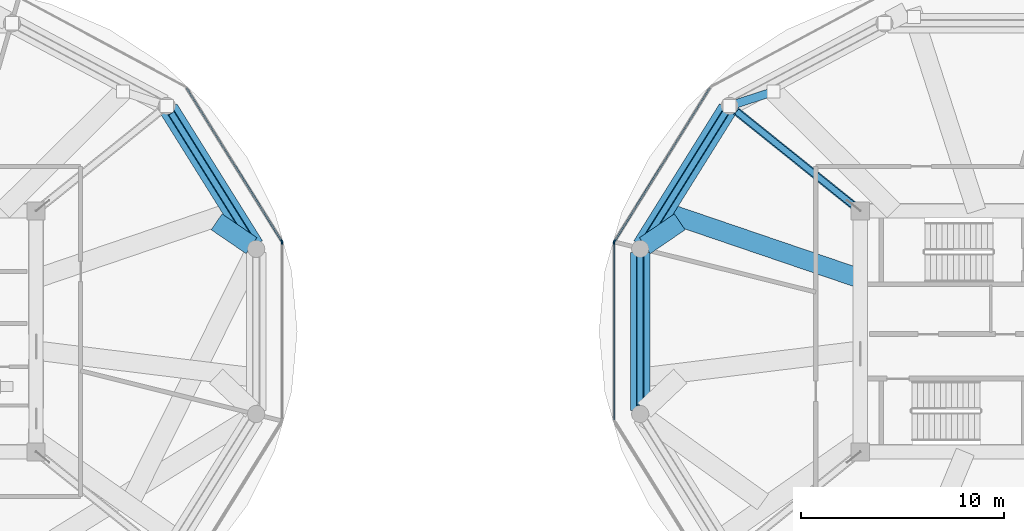
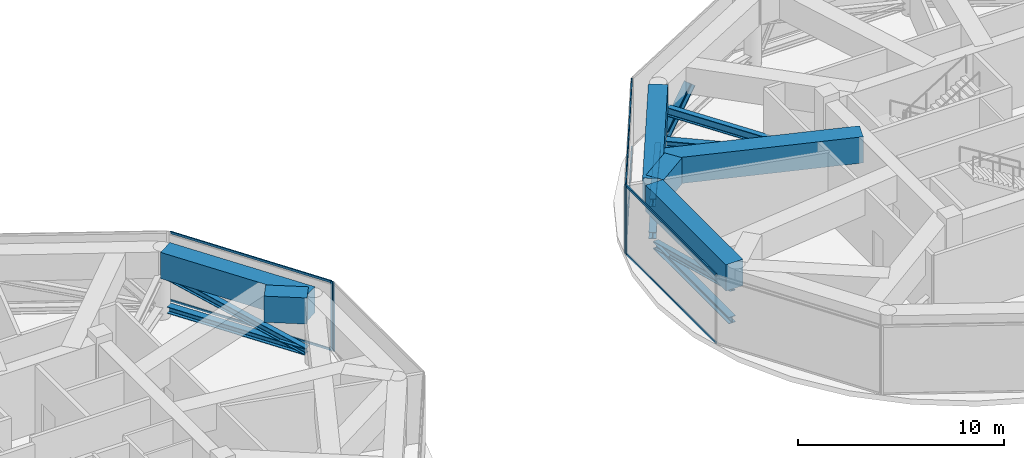
# One storey, part 7 of 23: 19 members, 6 beams, 4 elements without a shape of their own.
"""IFC4 building model written with IfcOpenShell, lengths in metres."""

from ifc_helpers import new_model, si_unit, direction, frame, origin, origin_2d, place, context, subcontext, project, spatial, rectangle, i_section, extrude, source, transform, mapped, material, layer, layer_set, material_profile, profile_set, type_object, type_shapes, element, aggregate, save


model = new_model("IFC4")

# Units and contexts
model_context = context("Model", 3, precision=1e-05, world=origin(), true_north=direction((0.0, 1.0)))
body_context = subcontext(model_context, "Body", "Model", "MODEL_VIEW")
ifc_project = project(units=[si_unit("LENGTHUNIT", "METRE"), si_unit("AREAUNIT", "SQUARE_METRE"), si_unit("VOLUMEUNIT", "CUBIC_METRE"), si_unit("PLANEANGLEUNIT", "RADIAN"), si_unit("MASSUNIT", "GRAM", prefix="KILO")], contexts=[model_context])

# Site, building, storey
site_placement = place(None, origin())
site = spatial("IfcSite", under=ifc_project, at=site_placement, CompositionType="ELEMENT")
building_placement = place(site_placement, origin())
building = spatial("IfcBuilding", under=site, at=building_placement, Name="Norrkilde Senior Care Towers", CompositionType="ELEMENT")
storey_placement = place(building_placement, frame((0.0, 0.0, 129.800048828125)))
storey = spatial("IfcBuildingStorey", under=building, at=storey_placement, Name="L40", CompositionType="ELEMENT", Elevation=129.800048828125)

# Beams
ifc_material_1 = material(Name="Concrete C60/75", Category="concrete")
ifc_material_profile_1 = material_profile(ifc_material_1, rectangle(XDim=0.949951171875, YDim=1.550048828125, at=origin_2d()), Name="RC TG 950x1550")
ifc_profile_set_1 = profile_set([ifc_material_profile_1], Name="Concrete C60/75")
beam_type = type_object("IfcBeamType", Name="Transfer Girder Zone Shift 950x1550", PredefinedType="USERDEFINED", material=ifc_profile_set_1)
shared_shape_1 = source(origin(), body_context, "Body", "SweptSolid", [
    extrude(rectangle(XDim=0.949951171875, YDim=1.550048828125, at=origin_2d()), origin(), (0.0, 0.0, 1.0), 7.966064453125),
])
for number, where, z_axis, x_axis, name in (
    (1, (-9.576416015625, 4.22900390625, 3.304931640625), (-0.529982411064, 0.848008634368, 0.0), (-0.848008634368, -0.529982411064, 0.0), "L40 Drum W Zone Ring Transfer Girder 01"),
    (2, (13.79833984375, 10.984375, 3.304931640625), (-0.529982411064, -0.848008634368, 0.0), (0.848008634368, -0.529982411064, 0.0), "L40 Drum E Zone Ring Transfer Girder 05"),
):
    element("IfcBeam", number, at=place(storey_placement, frame(where, z_axis=z_axis, x_axis=x_axis)), inside=storey, type_object=beam_type, Name=name, ObjectType="GIRDER", PredefinedType="USERDEFINED", context=body_context, shape_type="MappedRepresentation", body=[
        mapped(shared_shape_1, transform((0.0, 0.0, 0.0), x_axis=(1.0, 0.0, 0.0), y_axis=(0.0, 1.0, 0.0), z_axis=(0.0, 0.0, 1.0), scale=1.0)),
    ])
shared_shape_2 = source(origin(), body_context, "Body", "SweptSolid", [
    extrude(rectangle(XDim=0.949951171875, YDim=1.550048828125, at=origin_2d()), origin(), (0.0, 0.0, 1.0), 7.79296875),
])
beam_1_placement = place(storey_placement, frame((9.48095703125, 3.896484375, 3.304931640625), z_axis=(0.0, -1.0, 0.0), x_axis=(1.0, 0.0, 0.0)))
element("IfcBeam", 3, at=beam_1_placement, inside=storey, type_object=beam_type, Name="L40 Drum E Zone Ring Transfer Girder 06", ObjectType="GIRDER", PredefinedType="USERDEFINED", context=body_context, shape_type="MappedRepresentation", body=[
    mapped(shared_shape_2, transform((0.0, 0.0, 0.0), x_axis=(1.0, 0.0, 0.0), y_axis=(0.0, 1.0, 0.0), z_axis=(0.0, 0.0, 1.0), scale=1.0)),
])
shared_shape_3 = source(origin(), body_context, "Body", "SweptSolid", [
    extrude(rectangle(XDim=0.949951171875, YDim=1.550048828125, at=origin_2d()), origin(), (0.0, 0.0, 1.0), 10.266357421875),
])
beam_2_placement = place(storey_placement, frame((20.35009765625, 2.607177734375, 3.304931640625), z_axis=(-0.946540721316, 0.32258435004, 0.0), x_axis=(-0.32258435004, -0.946540721316, 0.0)))
element("IfcBeam", 4, at=beam_2_placement, inside=storey, type_object=beam_type, Name="L40 Drum E Zone Transfer Girder 06", ObjectType="GIRDER", PredefinedType="USERDEFINED", context=body_context, shape_type="MappedRepresentation", body=[
    mapped(shared_shape_3, transform((0.0, 0.0, 0.0), x_axis=(1.0, 0.0, 0.0), y_axis=(0.0, 1.0, 0.0), z_axis=(0.0, 0.0, 1.0), scale=1.0)),
])
shared_shape_4 = source(origin(), body_context, "Body", "SweptSolid", [
    extrude(rectangle(XDim=0.949951171875, YDim=1.550048828125, at=origin_2d()), origin(), (0.0, 0.0, 1.0), 2.08447265625),
])
type_shapes(beam_type, [shared_shape_1, shared_shape_2, shared_shape_3, shared_shape_4])
for number, where, z_axis, x_axis, name in (
    (5, (-11.433837890625, 5.4091796875, 3.304931640625), (0.825964589322, -0.563722003461, 0.0), (0.563722003461, 0.825964589322, 0.0), "L40 Drum W Zone Star Transfer Tie 01"),
    (6, (11.433837890625, 5.4091796875, 3.304931640625), (-0.825964589322, -0.563722003461, 0.0), (0.563722003461, -0.825964589322, 0.0), "L40 Drum E Zone Star Transfer Tie 06"),
):
    element("IfcBeam", number, at=place(storey_placement, frame(where, z_axis=z_axis, x_axis=x_axis)), inside=storey, type_object=beam_type, Name=name, ObjectType="GIRDER", PredefinedType="USERDEFINED", context=body_context, shape_type="MappedRepresentation", body=[
        mapped(shared_shape_4, transform((0.0, 0.0, 0.0), x_axis=(1.0, 0.0, 0.0), y_axis=(0.0, 1.0, 0.0), z_axis=(0.0, 0.0, 1.0), scale=1.0)),
    ])

# Members
ifc_material_2 = material(Name="Steel S355", Category="steel")
ifc_material_profile_2 = material_profile(ifc_material_2, i_section(OverallWidth=0.412109375, OverallDepth=0.449951171875, WebThickness=0.028076171875, FlangeThickness=0.044921875, FilletRadius=0.014892578125, at=origin_2d()), Name="HD 400x509")
ifc_profile_set_2 = profile_set([ifc_material_profile_2], Name="Steel S355")
member_type_1 = type_object("IfcMemberType", Name="Pratt Bridge Truss Diagonal HD400x509", PredefinedType="BRACE", material=ifc_profile_set_2)
shared_shape_5 = source(origin(), body_context, "Body", "SweptSolid", [
    extrude(i_section(OverallWidth=0.412109375, OverallDepth=0.449951171875, WebThickness=0.028076171875, FlangeThickness=0.044921875, FilletRadius=0.014892578125, at=origin_2d()), origin(), (0.0, 0.0, 1.0), 3.51953125),
])
type_shapes(member_type_1, [shared_shape_5])
member_1_placement = place(storey_placement, frame((13.893798828125, 11.136962890625, 0.14990234375), z_axis=(0.61672748516, 0.199702893913, 0.761423642403), x_axis=(-0.308062436347, 0.951366141563, 0.0)))
element("IfcMember", 7, at=member_1_placement, inside=storey, type_object=member_type_1, Name="L40 Drum E Zone Transfer Raking Strut 05", PredefinedType="BRACE", context=body_context, shape_type="MappedRepresentation", body=[
    mapped(shared_shape_5, transform((0.0, 0.0, 0.0), x_axis=(1.0, 0.0, 0.0), y_axis=(0.0, 1.0, 0.0), z_axis=(0.0, 0.0, 1.0), scale=1.0)),
])
ifc_material_profile_3 = material_profile(ifc_material_2, i_section(OverallWidth=0.3740234375, OverallDepth=0.386962890625, WebThickness=0.01611328125, FlangeThickness=0.027099609375, FilletRadius=0.014892578125, at=origin_2d()), Name="HD 360x262")
ifc_profile_set_3 = profile_set([ifc_material_profile_3], Name="Steel S355")
member_type_2 = type_object("IfcMemberType", Name="Belt Truss Ring Chord HD360x262", PredefinedType="CHORD", material=ifc_profile_set_3)
shared_shape_6 = source(origin(), body_context, "Body", "SweptSolid", [
    extrude(i_section(OverallWidth=0.3740234375, OverallDepth=0.386962890625, WebThickness=0.01611328125, FlangeThickness=0.027099609375, FilletRadius=0.014892578125, at=origin_2d()), origin(), (0.0, 0.0, 1.0), 7.55615234375),
])
for number, where, z_axis, x_axis, name in (
    (8, (-9.68505859375, 4.40283203125, 0.550048828125), (-0.529981514254, 0.848009194849, 0.0), (-0.848009194849, -0.529981514254, 0.0), "L40 Drum W Belt Truss Bottom Chord 01"),
    (9, (13.689697265625, 10.810546875, 0.550048828125), (-0.529981514254, -0.848009194849, 0.0), (0.848009194849, -0.529981514254, 0.0), "L40 Drum E Belt Truss Bottom Chord 05"),
):
    element("IfcMember", number, at=place(storey_placement, frame(where, z_axis=z_axis, x_axis=x_axis)), inside=storey, type_object=member_type_2, Name=name, PredefinedType="CHORD", context=body_context, shape_type="MappedRepresentation", body=[
        mapped(shared_shape_6, transform((0.0, 0.0, 0.0), x_axis=(1.0, 0.0, 0.0), y_axis=(0.0, 1.0, 0.0), z_axis=(0.0, 0.0, 1.0), scale=1.0)),
    ])
ifc_material_profile_4 = material_profile(ifc_material_2, i_section(OverallWidth=0.300048828125, OverallDepth=0.39990234375, WebThickness=0.013427734375, FlangeThickness=0.02392578125, FilletRadius=0.027099609375, at=origin_2d()), Name="HEB 400")
ifc_profile_set_4 = profile_set([ifc_material_profile_4], Name="Steel S355")
member_type_3 = type_object("IfcMemberType", Name="Belt Truss Diagonal HEB400", PredefinedType="BRACE", material=ifc_profile_set_4)
shared_shape_7 = source(origin(), body_context, "Body", "SweptSolid", [
    extrude(i_section(OverallWidth=0.300048828125, OverallDepth=0.39990234375, WebThickness=0.013427734375, FlangeThickness=0.02392578125, FilletRadius=0.027099609375, at=origin_2d()), origin(), (0.0, 0.0, 1.0), 7.798828125),
])
for number, where, z_axis, x_axis, name in (
    (10, (-9.68505859375, 4.40283203125, 0.550048828125), (-0.513497189063, 0.821633068593, 0.247466639001), (-0.848009194849, -0.529981514254, 0.0), "L40 Drum W Belt Truss Diagonal 01"),
    (11, (13.689697265625, 10.810546875, 0.550048828125), (-0.513497189063, -0.821633068593, 0.247466639001), (0.848009194849, -0.529981514254, 0.0), "L40 Drum E Belt Truss Diagonal 05"),
):
    element("IfcMember", number, at=place(storey_placement, frame(where, z_axis=z_axis, x_axis=x_axis)), inside=storey, type_object=member_type_3, Name=name, PredefinedType="BRACE", context=body_context, shape_type="MappedRepresentation", body=[
        mapped(shared_shape_7, transform((0.0, 0.0, 0.0), x_axis=(1.0, 0.0, 0.0), y_axis=(0.0, 1.0, 0.0), z_axis=(0.0, 0.0, 1.0), scale=1.0)),
    ])
shared_shape_8 = source(origin(), body_context, "Body", "SweptSolid", [
    extrude(i_section(OverallWidth=0.3740234375, OverallDepth=0.386962890625, WebThickness=0.01611328125, FlangeThickness=0.027099609375, FilletRadius=0.014892578125, at=origin_2d()), origin(), (0.0, 0.0, 1.0), 7.3828125),
])
type_shapes(member_type_2, [shared_shape_6, shared_shape_8])
member_2_placement = place(storey_placement, frame((9.48095703125, 3.69140625, 0.550048828125), z_axis=(0.0, -1.0, 0.0), x_axis=(1.0, 0.0, 0.0)))
element("IfcMember", 12, at=member_2_placement, inside=storey, type_object=member_type_2, Name="L40 Drum E Belt Truss Bottom Chord 06", PredefinedType="CHORD", context=body_context, shape_type="MappedRepresentation", body=[
    mapped(shared_shape_8, transform((0.0, 0.0, 0.0), x_axis=(1.0, 0.0, 0.0), y_axis=(0.0, 1.0, 0.0), z_axis=(0.0, 0.0, 1.0), scale=1.0)),
])
shared_shape_9 = source(origin(), body_context, "Body", "SweptSolid", [
    extrude(i_section(OverallWidth=0.300048828125, OverallDepth=0.39990234375, WebThickness=0.013427734375, FlangeThickness=0.02392578125, FilletRadius=0.027099609375, at=origin_2d()), origin(), (0.0, 0.0, 1.0), 7.630859375),
])
type_shapes(member_type_3, [shared_shape_7, shared_shape_9])
member_3_placement = place(storey_placement, frame((9.48095703125, 3.69140625, 0.550048828125), z_axis=(0.0, -0.967489740565, 0.252910264523), x_axis=(1.0, 0.0, 0.0)))
element("IfcMember", 13, at=member_3_placement, inside=storey, type_object=member_type_3, Name="L40 Drum E Belt Truss Diagonal 06", PredefinedType="BRACE", context=body_context, shape_type="MappedRepresentation", body=[
    mapped(shared_shape_9, transform((0.0, 0.0, 0.0), x_axis=(1.0, 0.0, 0.0), y_axis=(0.0, 1.0, 0.0), z_axis=(0.0, 0.0, 1.0), scale=1.0)),
])
ifc_material_profile_5 = material_profile(ifc_material_2, i_section(OverallWidth=0.402099609375, OverallDepth=0.419921875, WebThickness=0.02001953125, FlangeThickness=0.032958984375, FilletRadius=0.014892578125, at=origin_2d()), Name="HD 400x347")
ifc_profile_set_5 = profile_set([ifc_material_profile_5], Name="Steel S355")
member_type_4 = type_object("IfcMemberType", Name="Outrigger Truss Chord HD400x347", PredefinedType="CHORD", material=ifc_profile_set_5)
shared_shape_10 = source(origin(), body_context, "Body", "SweptSolid", [
    extrude(i_section(OverallWidth=0.402099609375, OverallDepth=0.419921875, WebThickness=0.02001953125, FlangeThickness=0.032958984375, FilletRadius=0.014892578125, at=origin_2d()), origin(), (0.0, 0.0, 1.0), 7.486572265625),
])
type_shapes(member_type_4, [shared_shape_10])
member_4_placement = place(storey_placement, frame((20.0302734375, 6.206787109375, 0.550048828125), z_axis=(-0.779575464722, 0.626308306511, 0.0), x_axis=(-0.626308306511, -0.779575464722, 0.0)))
element("IfcMember", 14, at=member_4_placement, inside=storey, type_object=member_type_4, Name="L40 Drum E Outrigger Chord 4", PredefinedType="CHORD", context=body_context, shape_type="MappedRepresentation", body=[
    mapped(shared_shape_10, transform((0.0, 0.0, 0.0), x_axis=(1.0, 0.0, 0.0), y_axis=(0.0, 1.0, 0.0), z_axis=(0.0, 0.0, 1.0), scale=1.0)),
])
ifc_material_profile_6 = material_profile(ifc_material_2, i_section(OverallWidth=0.300048828125, OverallDepth=0.5, WebThickness=0.014404296875, FlangeThickness=0.028076171875, FilletRadius=0.027099609375, at=origin_2d()), Name="HEB 500")
ifc_profile_set_6 = profile_set([ifc_material_profile_6], Name="Steel S355")
member_type_5 = type_object("IfcMemberType", Name="Outrigger Truss Diagonal HEB500", PredefinedType="BRACE", material=ifc_profile_set_6)
shared_shape_11 = source(origin(), body_context, "Body", "SweptSolid", [
    extrude(i_section(OverallWidth=0.300048828125, OverallDepth=0.5, WebThickness=0.014404296875, FlangeThickness=0.028076171875, FilletRadius=0.027099609375, at=origin_2d()), origin(), (0.0, 0.0, 1.0), 7.7314453125),
])
type_shapes(member_type_5, [shared_shape_11])
member_5_placement = place(storey_placement, frame((20.0302734375, 6.206787109375, 0.550048828125), z_axis=(-0.754896761512, 0.60648151935, 0.249621806231), x_axis=(-0.626308306511, -0.779575464722, 0.0)))
element("IfcMember", 15, at=member_5_placement, inside=storey, type_object=member_type_5, Name="L40 Drum E Outrigger Diagonal 4", PredefinedType="BRACE", context=body_context, shape_type="MappedRepresentation", body=[
    mapped(shared_shape_11, transform((0.0, 0.0, 0.0), x_axis=(1.0, 0.0, 0.0), y_axis=(0.0, 1.0, 0.0), z_axis=(0.0, 0.0, 1.0), scale=1.0)),
])

# Curtain wall, member
ifc_material_3 = material(Name="Triple Low-E Insulated Glazing", Category="glass")
ifc_layer = layer(ifc_material_3, 0.18505859375)
ifc_layer_set = layer_set([ifc_layer], Name="Triple Low-E Insulated Glazing")
curtain_wall_type = type_object("IfcCurtainWallType", Name="CW6 Zone 4 Crown Pavilion Curtain Wall", PredefinedType="NOTDEFINED", material=ifc_layer_set)
curtain_wall_1_placement = place(storey_placement, origin())
curtain_wall_1 = element("IfcCurtainWall", 16, at=curtain_wall_1_placement, inside=storey, type_object=curtain_wall_type, Name="L40 Drum W Curtain Wall 00", PredefinedType="NOTDEFINED")
ifc_material_4 = material(Name="Anodised Aluminium", Category="aluminium")
ifc_material_profile_7 = material_profile(ifc_material_4, rectangle(XDim=0.070068359375, YDim=0.169921875, at=origin_2d()), Name="ALU MULL 70x170")
ifc_profile_set_7 = profile_set([ifc_material_profile_7], Name="Anodised Aluminium")
member_type_6 = type_object("IfcMemberType", Name="Curtain Wall Mullion Heavy 70x170", PredefinedType="MULLION", material=ifc_profile_set_7)
shared_shape_12 = source(origin(), body_context, "Body", "SweptSolid", [
    extrude(rectangle(XDim=0.070068359375, YDim=0.169921875, at=origin_2d()), origin(), (0.0, 0.0, 1.0), 4.079833984375),
])
type_shapes(member_type_6, [shared_shape_12])
member_6_placement = place(storey_placement, frame((-8.21484375, 4.450439453125, 0.0), z_axis=(0.0, 0.0, 1.0), x_axis=(0.849410171862, 0.527733228002, 0.0)))
member_6 = element("IfcMember", 17, at=member_6_placement, type_object=member_type_6, Name="CW-6 mullion 2", PredefinedType="MULLION", context=body_context, shape_type="MappedRepresentation", body=[
    mapped(shared_shape_12, transform((0.0, 0.0, 0.0), x_axis=(1.0, 0.0, 0.0), y_axis=(0.0, 1.0, 0.0), z_axis=(0.0, 0.0, 1.0), scale=1.0)),
])

curtain_wall_2_placement = place(storey_placement, origin())
curtain_wall_2 = element("IfcCurtainWall", 18, at=curtain_wall_2_placement, inside=storey, type_object=curtain_wall_type, Name="L40 Drum W Curtain Wall 11", PredefinedType="NOTDEFINED")
member_7_placement = place(storey_placement, frame((-8.1962890625, 4.3857421875, 0.0), z_axis=(0.0, 0.0, 1.0), x_axis=(1.0, 0.0, 0.0)))
member_7 = element("IfcMember", 19, at=member_7_placement, type_object=member_type_6, Name="CW-6 mullion 1", PredefinedType="MULLION", context=body_context, shape_type="MappedRepresentation", body=[
    mapped(shared_shape_12, transform((0.0, 0.0, 0.0), x_axis=(1.0, 0.0, 0.0), y_axis=(0.0, 1.0, 0.0), z_axis=(0.0, 0.0, 1.0), scale=1.0)),
])
aggregate(curtain_wall_2, [member_7])

curtain_wall_3_placement = place(storey_placement, origin())
curtain_wall_3 = element("IfcCurtainWall", 20, at=curtain_wall_3_placement, inside=storey, type_object=curtain_wall_type, Name="L40 Drum E Curtain Wall 04", PredefinedType="NOTDEFINED")
member_8_placement = place(storey_placement, frame((8.21484375, 4.450439453125, 0.0), z_axis=(0.0, 0.0, 1.0), x_axis=(-0.849410171862, 0.527733228002, 0.0)))
member_8 = element("IfcMember", 21, at=member_8_placement, type_object=member_type_6, Name="CW-6 mullion 1", PredefinedType="MULLION", context=body_context, shape_type="MappedRepresentation", body=[
    mapped(shared_shape_12, transform((0.0, 0.0, 0.0), x_axis=(1.0, 0.0, 0.0), y_axis=(0.0, 1.0, 0.0), z_axis=(0.0, 0.0, 1.0), scale=1.0)),
])

curtain_wall_4_placement = place(storey_placement, origin())
curtain_wall_4 = element("IfcCurtainWall", 22, at=curtain_wall_4_placement, inside=storey, type_object=curtain_wall_type, Name="L40 Drum E Curtain Wall 05", PredefinedType="NOTDEFINED")
member_9_placement = place(storey_placement, frame((8.1962890625, 4.3857421875, 0.0), z_axis=(0.0, 0.0, 1.0), x_axis=(-1.0, 0.0, 0.0)))
member_9 = element("IfcMember", 23, at=member_9_placement, type_object=member_type_6, Name="CW-6 mullion 2", PredefinedType="MULLION", context=body_context, shape_type="MappedRepresentation", body=[
    mapped(shared_shape_12, transform((0.0, 0.0, 0.0), x_axis=(1.0, 0.0, 0.0), y_axis=(0.0, 1.0, 0.0), z_axis=(0.0, 0.0, 1.0), scale=1.0)),
])

# Member
ifc_material_profile_8 = material_profile(ifc_material_4, rectangle(XDim=0.06494140625, YDim=0.1298828125, at=origin_2d()), Name="ALU TRAN 65x130")
ifc_profile_set_8 = profile_set([ifc_material_profile_8], Name="Anodised Aluminium")
member_type_7 = type_object("IfcMemberType", Name="Curtain Wall Transom Heavy 65x130", PredefinedType="USERDEFINED", material=ifc_profile_set_8)
shared_shape_13 = source(origin(), body_context, "Body", "SweptSolid", [
    extrude(rectangle(XDim=0.06494140625, YDim=0.1298828125, at=origin_2d()), origin(), (0.0, 0.0, 1.0), 8.874267578125),
])
member_10_placement = place(storey_placement, frame((-12.91650390625, 12.017822265625, 0.032470703125), z_axis=(0.527744255677, -0.849403320337, 0.0), x_axis=(0.849403320337, 0.527744255677, 0.0)))
member_10 = element("IfcMember", 24, at=member_10_placement, type_object=member_type_7, Name="CW-6 transom 1.1", ObjectType="TRANSOM", PredefinedType="USERDEFINED", context=body_context, shape_type="MappedRepresentation", body=[
    mapped(shared_shape_13, transform((0.0, 0.0, 0.0), x_axis=(1.0, 0.0, 0.0), y_axis=(0.0, 1.0, 0.0), z_axis=(0.0, 0.0, 1.0), scale=1.0)),
])

member_11_placement = place(storey_placement, frame((-12.91650390625, 12.017822265625, 4.04736328125), z_axis=(0.527744255677, -0.849403320337, 0.0), x_axis=(0.849403320337, 0.527744255677, 0.0)))
member_11 = element("IfcMember", 25, at=member_11_placement, type_object=member_type_7, Name="CW-6 transom 1.2", ObjectType="TRANSOM", PredefinedType="USERDEFINED", context=body_context, shape_type="MappedRepresentation", body=[
    mapped(shared_shape_13, transform((0.0, 0.0, 0.0), x_axis=(1.0, 0.0, 0.0), y_axis=(0.0, 1.0, 0.0), z_axis=(0.0, 0.0, 1.0), scale=1.0)),
])

aggregate(curtain_wall_1, [member_6, member_10, member_11])

member_12_placement = place(storey_placement, frame((8.233154296875, 4.47998046875, 0.032470703125), z_axis=(0.527744255677, 0.849403320337, 0.0), x_axis=(-0.849403320337, 0.527744255677, 0.0)))
member_12 = element("IfcMember", 26, at=member_12_placement, type_object=member_type_7, Name="CW-6 transom 1.1", ObjectType="TRANSOM", PredefinedType="USERDEFINED", context=body_context, shape_type="MappedRepresentation", body=[
    mapped(shared_shape_13, transform((0.0, 0.0, 0.0), x_axis=(1.0, 0.0, 0.0), y_axis=(0.0, 1.0, 0.0), z_axis=(0.0, 0.0, 1.0), scale=1.0)),
])

member_13_placement = place(storey_placement, frame((8.233154296875, 4.47998046875, 4.04736328125), z_axis=(0.527744255677, 0.849403320337, 0.0), x_axis=(-0.849403320337, 0.527744255677, 0.0)))
member_13 = element("IfcMember", 27, at=member_13_placement, type_object=member_type_7, Name="CW-6 transom 1.2", ObjectType="TRANSOM", PredefinedType="USERDEFINED", context=body_context, shape_type="MappedRepresentation", body=[
    mapped(shared_shape_13, transform((0.0, 0.0, 0.0), x_axis=(1.0, 0.0, 0.0), y_axis=(0.0, 1.0, 0.0), z_axis=(0.0, 0.0, 1.0), scale=1.0)),
])

aggregate(curtain_wall_3, [member_8, member_12, member_13])

shared_shape_14 = source(origin(), body_context, "Body", "SweptSolid", [
    extrude(rectangle(XDim=0.06494140625, YDim=0.1298828125, at=origin_2d()), origin(), (0.0, 0.0, 1.0), 8.701171875),
])
type_shapes(member_type_7, [shared_shape_13, shared_shape_14])
member_14_placement = place(storey_placement, frame((8.1962890625, -4.3505859375, 0.032470703125), z_axis=(0.0, 1.0, 0.0), x_axis=(-1.0, 0.0, 0.0)))
member_14 = element("IfcMember", 28, at=member_14_placement, type_object=member_type_7, Name="CW-6 transom 1.1", ObjectType="TRANSOM", PredefinedType="USERDEFINED", context=body_context, shape_type="MappedRepresentation", body=[
    mapped(shared_shape_14, transform((0.0, 0.0, 0.0), x_axis=(1.0, 0.0, 0.0), y_axis=(0.0, 1.0, 0.0), z_axis=(0.0, 0.0, 1.0), scale=1.0)),
])

member_15_placement = place(storey_placement, frame((8.1962890625, -4.3505859375, 4.04736328125), z_axis=(0.0, 1.0, 0.0), x_axis=(-1.0, 0.0, 0.0)))
member_15 = element("IfcMember", 29, at=member_15_placement, type_object=member_type_7, Name="CW-6 transom 1.2", ObjectType="TRANSOM", PredefinedType="USERDEFINED", context=body_context, shape_type="MappedRepresentation", body=[
    mapped(shared_shape_14, transform((0.0, 0.0, 0.0), x_axis=(1.0, 0.0, 0.0), y_axis=(0.0, 1.0, 0.0), z_axis=(0.0, 0.0, 1.0), scale=1.0)),
])

aggregate(curtain_wall_4, [member_9, member_14, member_15])

save(model, "model.ifc")
